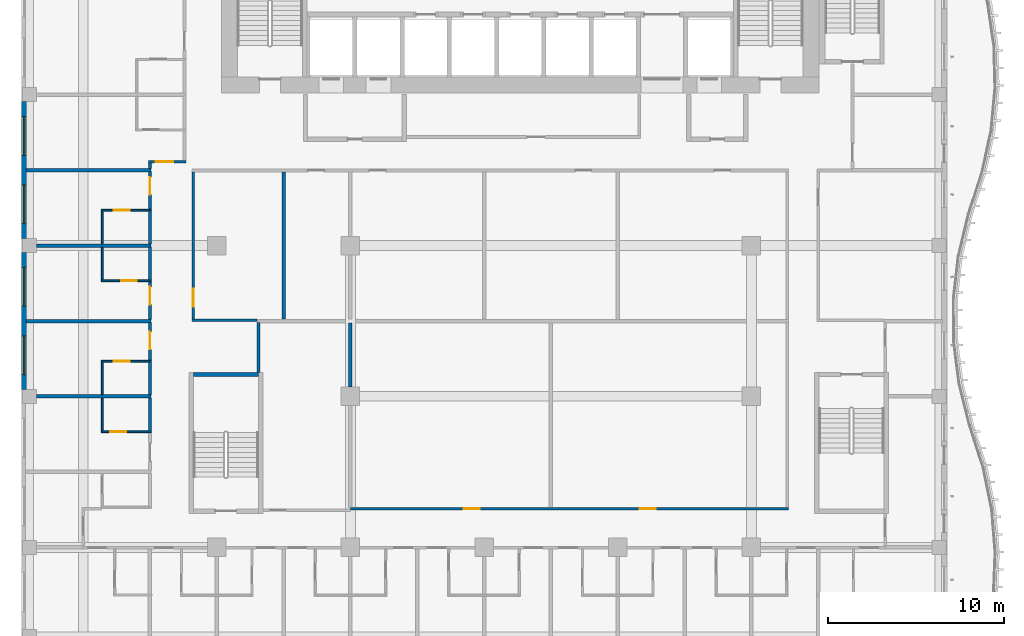
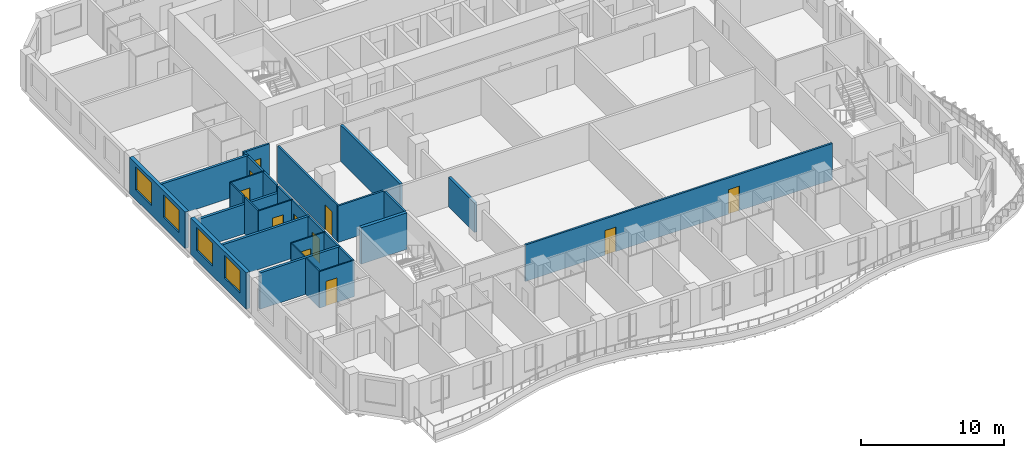
# One storey, part 4 of 22: 30 walls, 11 doors, 4 windows, 15 openings.
"""IFC4 building model written with IfcOpenShell, lengths in metres."""

from ifc_helpers import new_model, si_unit, direction, frame, frame_2d, origin, place, context, subcontext, project, spatial, rectangle, extrude, source, transform, mapped, material, layer, layer_set, type_object, element, fill, save


model = new_model("IFC4")

# Units and contexts
model_context = context("Model", 3, precision=1e-05, world=origin(), true_north=direction((0.0, 1.0)))
body_context = subcontext(model_context, "Body", "Model", "MODEL_VIEW")
ifc_project = project(units=[si_unit("LENGTHUNIT", "METRE"), si_unit("AREAUNIT", "SQUARE_METRE"), si_unit("VOLUMEUNIT", "CUBIC_METRE"), si_unit("PLANEANGLEUNIT", "RADIAN"), si_unit("MASSUNIT", "GRAM", prefix="KILO")], contexts=[model_context])

# Site, building, storey
site_placement = place(None, origin())
site = spatial("IfcSite", under=ifc_project, at=site_placement, CompositionType="ELEMENT")
building_placement = place(site_placement, origin())
building = spatial("IfcBuilding", under=site, at=building_placement, Name="Kilnfold Tower and Market Hall", CompositionType="ELEMENT")
storey_placement = place(building_placement, frame((0.0, 0.0, 171.89990234375)))
storey = spatial("IfcBuildingStorey", under=building, at=storey_placement, Name="L40", CompositionType="ELEMENT", Elevation=171.89990234375)

# Wall
ifc_material_1 = material(Name="Gypsum board on steel studs", Category="steel")
ifc_layer_1 = layer(ifc_material_1, 0.14990234375)
ifc_layer_set_1 = layer_set([ifc_layer_1], Name="Gypsum board on steel studs")
wall_type_1 = type_object("IfcWallType", Name="WALL CORRIDOR 150", PredefinedType="PARTITIONING", material=ifc_layer_set_1)
wall_1_placement = place(storey_placement, frame((-19.958984375, -11.0849609375, 0.0), z_axis=(0.0, 0.0, 1.0), x_axis=(0.0, 1.0, 0.0)))
element("IfcWall", 1, at=wall_1_placement, inside=storey, type_object=wall_type_1, Name="Partition LY26.11", PredefinedType="PARTITIONING", context=body_context, shape_type="SweptSolid", body=[
    extrude(rectangle(XDim=1.869873046875, YDim=0.14990234375, at=frame_2d((0.93505859375, 0.0))), origin(), (0.0, 0.0, 1.0), 3.1201171875),
])

# Wall, opening, door
wall_2_placement = place(storey_placement, frame((-19.958984375, -7.0849609375, 0.0), z_axis=(0.0, 0.0, 1.0), x_axis=(0.0, 1.0, 0.0)))
wall_2 = element("IfcWall", 2, at=wall_2_placement, inside=storey, type_object=wall_type_1, Name="Partition LY26.12", PredefinedType="PARTITIONING", context=body_context, shape_type="SweptSolid", body=[
    extrude(rectangle(XDim=2.15185546875, YDim=0.14990234375, at=frame_2d((1.075927734375, 0.0))), origin(), (0.0, 0.0, 1.0), 3.1201171875),
])
opening_1_placement = place(wall_2_placement, frame((0.6298828125, 0.0, 0.0)))
opening_1 = element("IfcOpeningElement", 3, at=opening_1_placement, cuts=wall_2, Name="Opening D1", PredefinedType="OPENING", context=body_context, shape_type="SweptSolid", body=[
    extrude(rectangle(XDim=1.0, YDim=2.10009765625, at=frame_2d((0.5, 1.050048828125))), frame((0.0, 0.0849609375, 0.0), z_axis=(0.0, -1.0, 0.0), x_axis=(1.0, 0.0, 0.0)), (0.0, 0.0, 1.0), 0.169921875),
])
ifc_material_2 = material(Name="Timber veneer door leaf in steel frame", Category="steel")
door_type_1 = type_object("IfcDoorType", Name="DOOR ENTRY 1000 X2100", OperationType="NOTDEFINED", PredefinedType="DOOR", material=ifc_material_2)
door_1_placement = place(opening_1_placement, origin())
door_1 = element("IfcDoor", 4, at=door_1_placement, inside=storey, type_object=door_type_1, Name="Door D1", OperationType="SINGLE_SWING_RIGHT", OverallHeight=2.10009765625, OverallWidth=1.0, PredefinedType="DOOR", context=body_context, shape_type="SweptSolid", body=[
    extrude(rectangle(XDim=1.0, YDim=2.10009765625, at=frame_2d((0.5, 1.050048828125))), frame((0.0, 0.02490234375, 0.0), z_axis=(0.0, -1.0, 0.0), x_axis=(1.0, 0.0, 0.0)), (0.0, 0.0, 1.0), 0.050048828125),
])
fill(opening_1, door_1)

# Wall
wall_3_placement = place(storey_placement, frame((-19.958984375, -9.034912109375, 0.0), z_axis=(0.0, 0.0, 1.0), x_axis=(0.0, 1.0, 0.0)))
element("IfcWall", 5, at=wall_3_placement, inside=storey, type_object=wall_type_1, Name="Partition LY26.13", PredefinedType="PARTITIONING", context=body_context, shape_type="SweptSolid", body=[
    extrude(rectangle(XDim=1.869873046875, YDim=0.14990234375, at=frame_2d((0.93505859375, 0.0))), origin(), (0.0, 0.0, 1.0), 3.1201171875),
])

# Wall, opening, door
wall_4_placement = place(storey_placement, frame((-19.958984375, -4.7529296875, 0.0), z_axis=(0.0, 0.0, 1.0), x_axis=(0.0, 1.0, 0.0)))
wall_4 = element("IfcWall", 6, at=wall_4_placement, inside=storey, type_object=wall_type_1, Name="Partition LY26.14", PredefinedType="PARTITIONING", context=body_context, shape_type="SweptSolid", body=[
    extrude(rectangle(XDim=2.15087890625, YDim=0.14990234375, at=frame_2d((1.075439453125, 0.0))), origin(), (0.0, 0.0, 1.0), 3.1201171875),
])
opening_2_placement = place(wall_4_placement, frame((0.843994140625, 0.0, 0.0)))
opening_2 = element("IfcOpeningElement", 7, at=opening_2_placement, cuts=wall_4, Name="Opening D1", PredefinedType="OPENING", context=body_context, shape_type="SweptSolid", body=[
    extrude(rectangle(XDim=1.0, YDim=2.10009765625, at=frame_2d((0.5, 1.050048828125))), frame((0.0, 0.0849609375, 0.0), z_axis=(0.0, -1.0, 0.0), x_axis=(1.0, 0.0, 0.0)), (0.0, 0.0, 1.0), 0.169921875),
])
door_2_placement = place(opening_2_placement, origin())
door_2 = element("IfcDoor", 8, at=door_2_placement, inside=storey, type_object=door_type_1, Name="Door D1", OperationType="SINGLE_SWING_RIGHT", OverallHeight=2.10009765625, OverallWidth=1.0, PredefinedType="DOOR", context=body_context, shape_type="SweptSolid", body=[
    extrude(rectangle(XDim=1.0, YDim=2.10009765625, at=frame_2d((0.5, 1.050048828125))), frame((0.0, 0.02490234375, 0.0), z_axis=(0.0, -1.0, 0.0), x_axis=(1.0, 0.0, 0.0)), (0.0, 0.0, 1.0), 0.050048828125),
])
fill(opening_2, door_2)

# Wall
wall_5_placement = place(storey_placement, frame((-19.958984375, -2.52197265625, 0.0), z_axis=(0.0, 0.0, 1.0), x_axis=(0.0, 1.0, 0.0)))
element("IfcWall", 9, at=wall_5_placement, inside=storey, type_object=wall_type_1, Name="Partition LY26.15", PredefinedType="PARTITIONING", context=body_context, shape_type="SweptSolid", body=[
    extrude(rectangle(XDim=1.869873046875, YDim=0.14990234375, at=frame_2d((0.93505859375, 0.0))), origin(), (0.0, 0.0, 1.0), 3.1201171875),
])

# Wall, opening, door
wall_6_placement = place(storey_placement, frame((-19.958984375, 1.47802734375, 0.0), z_axis=(0.0, 0.0, 1.0), x_axis=(0.0, 1.0, 0.0)))
wall_6 = element("IfcWall", 10, at=wall_6_placement, inside=storey, type_object=wall_type_1, Name="Partition LY26.16", PredefinedType="PARTITIONING", context=body_context, shape_type="SweptSolid", body=[
    extrude(rectangle(XDim=2.15087890625, YDim=0.14990234375, at=frame_2d((1.075439453125, 0.0))), origin(), (0.0, 0.0, 1.0), 3.1201171875),
])
opening_3_placement = place(wall_6_placement, frame((0.843994140625, 0.0, 0.0)))
opening_3 = element("IfcOpeningElement", 11, at=opening_3_placement, cuts=wall_6, Name="Opening D1", PredefinedType="OPENING", context=body_context, shape_type="SweptSolid", body=[
    extrude(rectangle(XDim=1.0, YDim=2.10009765625, at=frame_2d((0.5, 1.050048828125))), frame((0.0, 0.0849609375, 0.0), z_axis=(0.0, -1.0, 0.0), x_axis=(1.0, 0.0, 0.0)), (0.0, 0.0, 1.0), 0.169921875),
])
door_3_placement = place(opening_3_placement, origin())
door_3 = element("IfcDoor", 12, at=door_3_placement, inside=storey, type_object=door_type_1, Name="Door D1", OperationType="SINGLE_SWING_RIGHT", OverallHeight=2.10009765625, OverallWidth=1.0, PredefinedType="DOOR", context=body_context, shape_type="SweptSolid", body=[
    extrude(rectangle(XDim=1.0, YDim=2.10009765625, at=frame_2d((0.5, 1.050048828125))), frame((0.0, 0.02490234375, 0.0), z_axis=(0.0, -1.0, 0.0), x_axis=(1.0, 0.0, 0.0)), (0.0, 0.0, 1.0), 0.050048828125),
])
fill(opening_3, door_3)

# Walls
wall_7_placement = place(storey_placement, frame((-19.958984375, -0.471923828125, 0.0), z_axis=(0.0, 0.0, 1.0), x_axis=(0.0, 1.0, 0.0)))
element("IfcWall", 13, at=wall_7_placement, inside=storey, type_object=wall_type_1, Name="Partition LY26.17", PredefinedType="PARTITIONING", context=body_context, shape_type="SweptSolid", body=[
    extrude(rectangle(XDim=1.869873046875, YDim=0.14990234375, at=frame_2d((0.93505859375, 0.0))), origin(), (0.0, 0.0, 1.0), 3.1201171875),
])
wall_8_placement = place(storey_placement, frame((-19.958984375, 3.80908203125, 0.0), z_axis=(0.0, 0.0, 1.0), x_axis=(0.0, 1.0, 0.0)))
element("IfcWall", 14, at=wall_8_placement, inside=storey, type_object=wall_type_1, Name="Partition LY26.18", PredefinedType="PARTITIONING", context=body_context, shape_type="SweptSolid", body=[
    extrude(rectangle(XDim=0.31591796875, YDim=0.14990234375, at=frame_2d((0.157958984375, 0.0))), origin(), (0.0, 0.0, 1.0), 3.1201171875),
])

# Wall, opening, door
wall_9_placement = place(storey_placement, frame((-17.925048828125, 4.199951171875, 0.0), z_axis=(0.0, 0.0, 1.0), x_axis=(-1.0, 0.0, 0.0)))
wall_9 = element("IfcWall", 15, at=wall_9_placement, inside=storey, type_object=wall_type_1, Name="Partition LY26.19", PredefinedType="PARTITIONING", context=body_context, shape_type="SweptSolid", body=[
    extrude(rectangle(XDim=2.10888671875, YDim=0.14990234375, at=frame_2d((1.054443359375, 0.0))), origin(), (0.0, 0.0, 1.0), 3.1201171875),
])
opening_4_placement = place(wall_9_placement, frame((0.7060546875, 0.0, 0.0)))
opening_4 = element("IfcOpeningElement", 16, at=opening_4_placement, cuts=wall_9, Name="Opening D1", PredefinedType="OPENING", context=body_context, shape_type="SweptSolid", body=[
    extrude(rectangle(XDim=1.0, YDim=2.10009765625, at=frame_2d((0.5, 1.050048828125))), frame((0.0, 0.0849609375, 0.0), z_axis=(0.0, -1.0, 0.0), x_axis=(1.0, 0.0, 0.0)), (0.0, 0.0, 1.0), 0.169921875),
])
door_4_placement = place(opening_4_placement, origin())
door_4 = element("IfcDoor", 17, at=door_4_placement, inside=storey, type_object=door_type_1, Name="Door D1", OperationType="SINGLE_SWING_RIGHT", OverallHeight=2.10009765625, OverallWidth=1.0, PredefinedType="DOOR", context=body_context, shape_type="SweptSolid", body=[
    extrude(rectangle(XDim=1.0, YDim=2.10009765625, at=frame_2d((0.5, 1.050048828125))), frame((0.0, 0.02490234375, 0.0), z_axis=(0.0, -1.0, 0.0), x_axis=(1.0, 0.0, 0.0)), (0.0, 0.0, 1.0), 0.050048828125),
])
fill(opening_4, door_4)

wall_10_placement = place(storey_placement, frame((-17.5, -4.72509765625, 0.0), z_axis=(0.0, 0.0, 1.0), x_axis=(0.0, 1.0, 0.0)))
wall_10 = element("IfcWall", 18, at=wall_10_placement, inside=storey, type_object=wall_type_1, Name="Partition LY26.43", PredefinedType="PARTITIONING", context=body_context, shape_type="SweptSolid", body=[
    extrude(rectangle(XDim=8.35009765625, YDim=0.14990234375, at=frame_2d((4.175048828125, 0.0))), origin(), (0.0, 0.0, 1.0), 3.1201171875),
])
opening_5_placement = place(wall_10_placement, frame((0.7041015625, 0.0, 0.0)))
opening_5 = element("IfcOpeningElement", 19, at=opening_5_placement, cuts=wall_10, Name="Opening D4", PredefinedType="OPENING", context=body_context, shape_type="SweptSolid", body=[
    extrude(rectangle(XDim=1.0, YDim=2.10009765625, at=frame_2d((0.5, 1.050048828125))), frame((0.0, 0.0849609375, 0.0), z_axis=(0.0, -1.0, 0.0), x_axis=(1.0, 0.0, 0.0)), (0.0, 0.0, 1.0), 0.169921875),
])
ifc_material_3 = material(Name="Timber veneer door leaf in steel frame", Category="steel")
door_type_2 = type_object("IfcDoorType", Name="DOOR SERVICE 1000 X2100", OperationType="NOTDEFINED", PredefinedType="DOOR", material=ifc_material_3)
door_5_placement = place(opening_5_placement, origin())
door_5 = element("IfcDoor", 20, at=door_5_placement, inside=storey, type_object=door_type_2, Name="Door D4", OperationType="SINGLE_SWING_RIGHT", OverallHeight=2.10009765625, OverallWidth=1.0, PredefinedType="DOOR", context=body_context, shape_type="SweptSolid", body=[
    extrude(rectangle(XDim=1.0, YDim=2.10009765625, at=frame_2d((0.5, 1.050048828125))), frame((0.0, 0.02490234375, 0.0), z_axis=(0.0, -1.0, 0.0), x_axis=(1.0, 0.0, 0.0)), (0.0, 0.0, 1.0), 0.050048828125),
])
fill(opening_5, door_5)

# Walls
wall_11_placement = place(storey_placement, frame((-17.574951171875, -4.800048828125, 0.0), z_axis=(0.0, 0.0, 1.0), x_axis=(1.0, 0.0, 0.0)))
element("IfcWall", 21, at=wall_11_placement, inside=storey, type_object=wall_type_1, Name="Partition LY26.44", PredefinedType="PARTITIONING", context=body_context, shape_type="SweptSolid", body=[
    extrude(rectangle(XDim=3.701904296875, YDim=0.14990234375, at=frame_2d((1.85107421875, 0.0))), origin(), (0.0, 0.0, 1.0), 3.1201171875),
])
wall_12_placement = place(storey_placement, frame((-13.800048828125, -7.75, 0.0), z_axis=(0.0, 0.0, 1.0), x_axis=(0.0, 1.0, 0.0)))
element("IfcWall", 22, at=wall_12_placement, inside=storey, type_object=wall_type_1, Name="Partition LY26.46", PredefinedType="PARTITIONING", context=body_context, shape_type="SweptSolid", body=[
    extrude(rectangle(XDim=2.81689453125, YDim=0.14990234375, at=frame_2d((1.408447265625, 0.0))), origin(), (0.0, 0.0, 1.0), 3.1201171875),
])

# Wall, openings, doors
wall_13_placement = place(storey_placement, frame((-8.593017578125, -15.5, 0.0), z_axis=(0.0, 0.0, 1.0), x_axis=(1.0, 0.0, 0.0)))
wall_13 = element("IfcWall", 23, at=wall_13_placement, inside=storey, type_object=wall_type_1, Name="Partition LY26.48", PredefinedType="PARTITIONING", context=body_context, shape_type="SweptSolid", body=[
    extrude(rectangle(XDim=24.867919921875, YDim=0.14990234375, at=frame_2d((12.43408203125, 0.0))), origin(), (0.0, 0.0, 1.0), 3.1201171875),
])
opening_6_placement = place(wall_13_placement, frame((6.43994140625, 0.0, 0.0)))
opening_6 = element("IfcOpeningElement", 24, at=opening_6_placement, cuts=wall_13, Name="Opening D2", PredefinedType="OPENING", context=body_context, shape_type="SweptSolid", body=[
    extrude(rectangle(XDim=0.89990234375, YDim=2.10009765625, at=frame_2d((0.449951171875, 1.050048828125))), frame((0.0, 0.0849609375, 0.0), z_axis=(0.0, -1.0, 0.0), x_axis=(1.0, 0.0, 0.0)), (0.0, 0.0, 1.0), 0.169921875),
])
opening_7_placement = place(wall_13_placement, frame((16.429931640625, 0.0, 0.0)))
opening_7 = element("IfcOpeningElement", 25, at=opening_7_placement, cuts=wall_13, Name="Opening D2", PredefinedType="OPENING", context=body_context, shape_type="SweptSolid", body=[
    extrude(rectangle(XDim=0.89990234375, YDim=2.10009765625, at=frame_2d((0.449951171875, 1.050048828125))), frame((0.0, 0.0849609375, 0.0), z_axis=(0.0, -1.0, 0.0), x_axis=(1.0, 0.0, 0.0)), (0.0, 0.0, 1.0), 0.169921875),
])
ifc_material_4 = material(Name="Timber veneer door leaf in steel frame", Category="steel")
door_type_3 = type_object("IfcDoorType", Name="DOOR ROOM 900 X2100", OperationType="NOTDEFINED", PredefinedType="DOOR", material=ifc_material_4)
door_6_placement = place(opening_6_placement, origin())
door_6 = element("IfcDoor", 26, at=door_6_placement, inside=storey, type_object=door_type_3, Name="Door D2", OperationType="SINGLE_SWING_RIGHT", OverallHeight=2.10009765625, OverallWidth=0.89990234375, PredefinedType="DOOR", context=body_context, shape_type="SweptSolid", body=[
    extrude(rectangle(XDim=0.89990234375, YDim=2.10009765625, at=frame_2d((0.449951171875, 1.050048828125))), frame((0.0, 0.02490234375, 0.0), z_axis=(0.0, -1.0, 0.0), x_axis=(1.0, 0.0, 0.0)), (0.0, 0.0, 1.0), 0.050048828125),
])
fill(opening_6, door_6)
door_7_placement = place(opening_7_placement, origin())
door_7 = element("IfcDoor", 27, at=door_7_placement, inside=storey, type_object=door_type_3, Name="Door D2", OperationType="SINGLE_SWING_RIGHT", OverallHeight=2.10009765625, OverallWidth=0.89990234375, PredefinedType="DOOR", context=body_context, shape_type="SweptSolid", body=[
    extrude(rectangle(XDim=0.89990234375, YDim=2.10009765625, at=frame_2d((0.449951171875, 1.050048828125))), frame((0.0, 0.02490234375, 0.0), z_axis=(0.0, -1.0, 0.0), x_axis=(1.0, 0.0, 0.0)), (0.0, 0.0, 1.0), 0.050048828125),
])
fill(opening_7, door_7)

# Wall, opening, door
ifc_material_5 = material(Name="Gypsum board on steel studs", Category="steel")
ifc_layer_2 = layer(ifc_material_5, 0.10009765625)
ifc_layer_set_2 = layer_set([ifc_layer_2], Name="Gypsum board on steel studs")
wall_type_2 = type_object("IfcWallType", Name="WALL PARTITION 100", PredefinedType="PARTITIONING", material=ifc_layer_set_2)
wall_14_placement = place(storey_placement, frame((-19.885986328125, -11.125, 0.0), z_axis=(0.0, 0.0, 1.0), x_axis=(-1.0, 0.0, 0.0)))
wall_14 = element("IfcWall", 28, at=wall_14_placement, inside=storey, type_object=wall_type_2, Name="Partition LY26.92", PredefinedType="PARTITIONING", context=body_context, shape_type="SweptSolid", body=[
    extrude(rectangle(XDim=2.824951171875, YDim=0.10009765625, at=frame_2d((1.41259765625, 0.0))), origin(), (0.0, 0.0, 1.0), 3.1201171875),
])
opening_8_placement = place(wall_14_placement, frame((1.419921875, 0.0, 0.0)))
opening_8 = element("IfcOpeningElement", 29, at=opening_8_placement, cuts=wall_14, Name="Opening D3", PredefinedType="OPENING", context=body_context, shape_type="SweptSolid", body=[
    extrude(rectangle(XDim=0.89990234375, YDim=2.10009765625, at=frame_2d((0.449951171875, 1.050048828125))), frame((0.0, 0.06005859375, 0.0), z_axis=(0.0, -1.0, 0.0), x_axis=(1.0, 0.0, 0.0)), (0.0, 0.0, 1.0), 0.1201171875),
])
ifc_material_6 = material(Name="Timber veneer door leaf in steel frame", Category="steel")
door_type_4 = type_object("IfcDoorType", Name="DOOR WC 900 X2100", OperationType="NOTDEFINED", PredefinedType="DOOR", material=ifc_material_6)
door_8_placement = place(opening_8_placement, origin())
door_8 = element("IfcDoor", 30, at=door_8_placement, inside=storey, type_object=door_type_4, Name="Door D3", OperationType="SINGLE_SWING_LEFT", OverallHeight=2.10009765625, OverallWidth=0.89990234375, PredefinedType="DOOR", context=body_context, shape_type="SweptSolid", body=[
    extrude(rectangle(XDim=0.89990234375, YDim=2.10009765625, at=frame_2d((0.449951171875, 1.050048828125))), frame((0.0, 0.02490234375, 0.0), z_axis=(0.0, -1.0, 0.0), x_axis=(1.0, 0.0, 0.0)), (0.0, 0.0, 1.0), 0.050048828125),
])
fill(opening_8, door_8)

# Wall
wall_15_placement = place(storey_placement, frame((-22.660888671875, -11.074951171875, 0.0), z_axis=(0.0, 0.0, 1.0), x_axis=(0.0, 1.0, 0.0)))
element("IfcWall", 31, at=wall_15_placement, inside=storey, type_object=wall_type_2, Name="Partition LY26.93", PredefinedType="PARTITIONING", context=body_context, shape_type="SweptSolid", body=[
    extrude(rectangle(XDim=1.849853515625, YDim=0.10009765625, at=frame_2d((0.9248046875, 0.0))), origin(), (0.0, 0.0, 1.0), 3.1201171875),
])

# Wall, opening, door
wall_16_placement = place(storey_placement, frame((-22.7109375, -7.125, 0.0), z_axis=(0.0, 0.0, 1.0), x_axis=(1.0, 0.0, 0.0)))
wall_16 = element("IfcWall", 32, at=wall_16_placement, inside=storey, type_object=wall_type_2, Name="Partition LY26.95", PredefinedType="PARTITIONING", context=body_context, shape_type="SweptSolid", body=[
    extrude(rectangle(XDim=2.824951171875, YDim=0.10009765625, at=frame_2d((1.41259765625, 0.0))), origin(), (0.0, 0.0, 1.0), 3.1201171875),
])
opening_9_placement = place(wall_16_placement, frame((0.7080078125, 0.0, 0.0)))
opening_9 = element("IfcOpeningElement", 33, at=opening_9_placement, cuts=wall_16, Name="Opening D3", PredefinedType="OPENING", context=body_context, shape_type="SweptSolid", body=[
    extrude(rectangle(XDim=0.89990234375, YDim=2.10009765625, at=frame_2d((0.449951171875, 1.050048828125))), frame((0.0, 0.06005859375, 0.0), z_axis=(0.0, -1.0, 0.0), x_axis=(1.0, 0.0, 0.0)), (0.0, 0.0, 1.0), 0.1201171875),
])
door_9_placement = place(opening_9_placement, origin())
door_9 = element("IfcDoor", 34, at=door_9_placement, inside=storey, type_object=door_type_4, Name="Door D3", OperationType="SINGLE_SWING_RIGHT", OverallHeight=2.10009765625, OverallWidth=0.89990234375, PredefinedType="DOOR", context=body_context, shape_type="SweptSolid", body=[
    extrude(rectangle(XDim=0.89990234375, YDim=2.10009765625, at=frame_2d((0.449951171875, 1.050048828125))), frame((0.0, 0.02490234375, 0.0), z_axis=(0.0, -1.0, 0.0), x_axis=(1.0, 0.0, 0.0)), (0.0, 0.0, 1.0), 0.050048828125),
])
fill(opening_9, door_9)

# Wall
wall_17_placement = place(storey_placement, frame((-22.660888671875, -9.02490234375, 0.0), z_axis=(0.0, 0.0, 1.0), x_axis=(0.0, 1.0, 0.0)))
element("IfcWall", 35, at=wall_17_placement, inside=storey, type_object=wall_type_2, Name="Partition LY26.96", PredefinedType="PARTITIONING", context=body_context, shape_type="SweptSolid", body=[
    extrude(rectangle(XDim=1.849853515625, YDim=0.10009765625, at=frame_2d((0.9248046875, 0.0))), origin(), (0.0, 0.0, 1.0), 3.1201171875),
])

# Wall, opening, door
wall_18_placement = place(storey_placement, frame((-19.885986328125, -2.56201171875, 0.0), z_axis=(0.0, 0.0, 1.0), x_axis=(-1.0, 0.0, 0.0)))
wall_18 = element("IfcWall", 36, at=wall_18_placement, inside=storey, type_object=wall_type_2, Name="Partition LY26.98", PredefinedType="PARTITIONING", context=body_context, shape_type="SweptSolid", body=[
    extrude(rectangle(XDim=2.824951171875, YDim=0.10009765625, at=frame_2d((1.41259765625, 0.0))), origin(), (0.0, 0.0, 1.0), 3.1201171875),
])
opening_10_placement = place(wall_18_placement, frame((0.81005859375, 0.0, 0.0)))
opening_10 = element("IfcOpeningElement", 37, at=opening_10_placement, cuts=wall_18, Name="Opening D3", PredefinedType="OPENING", context=body_context, shape_type="SweptSolid", body=[
    extrude(rectangle(XDim=0.89990234375, YDim=2.10009765625, at=frame_2d((0.449951171875, 1.050048828125))), frame((0.0, 0.06005859375, 0.0), z_axis=(0.0, -1.0, 0.0), x_axis=(1.0, 0.0, 0.0)), (0.0, 0.0, 1.0), 0.1201171875),
])
door_10_placement = place(opening_10_placement, origin())
door_10 = element("IfcDoor", 38, at=door_10_placement, inside=storey, type_object=door_type_4, Name="Door D3", OperationType="SINGLE_SWING_LEFT", OverallHeight=2.10009765625, OverallWidth=0.89990234375, PredefinedType="DOOR", context=body_context, shape_type="SweptSolid", body=[
    extrude(rectangle(XDim=0.89990234375, YDim=2.10009765625, at=frame_2d((0.449951171875, 1.050048828125))), frame((0.0, 0.02490234375, 0.0), z_axis=(0.0, -1.0, 0.0), x_axis=(1.0, 0.0, 0.0)), (0.0, 0.0, 1.0), 0.050048828125),
])
fill(opening_10, door_10)

# Wall
wall_19_placement = place(storey_placement, frame((-22.660888671875, -2.511962890625, 0.0), z_axis=(0.0, 0.0, 1.0), x_axis=(0.0, 1.0, 0.0)))
element("IfcWall", 39, at=wall_19_placement, inside=storey, type_object=wall_type_2, Name="Partition LY26.99", PredefinedType="PARTITIONING", context=body_context, shape_type="SweptSolid", body=[
    extrude(rectangle(XDim=1.849853515625, YDim=0.10009765625, at=frame_2d((0.9248046875, 0.0))), origin(), (0.0, 0.0, 1.0), 3.1201171875),
])

# Wall, opening, door
wall_20_placement = place(storey_placement, frame((-22.7109375, 1.43798828125, 0.0), z_axis=(0.0, 0.0, 1.0), x_axis=(1.0, 0.0, 0.0)))
wall_20 = element("IfcWall", 40, at=wall_20_placement, inside=storey, type_object=wall_type_2, Name="Partition LY26.101", PredefinedType="PARTITIONING", context=body_context, shape_type="SweptSolid", body=[
    extrude(rectangle(XDim=2.824951171875, YDim=0.10009765625, at=frame_2d((1.41259765625, 0.0))), origin(), (0.0, 0.0, 1.0), 3.1201171875),
])
opening_11_placement = place(wall_20_placement, frame((0.7080078125, 0.0, 0.0)))
opening_11 = element("IfcOpeningElement", 41, at=opening_11_placement, cuts=wall_20, Name="Opening D3", PredefinedType="OPENING", context=body_context, shape_type="SweptSolid", body=[
    extrude(rectangle(XDim=0.89990234375, YDim=2.10009765625, at=frame_2d((0.449951171875, 1.050048828125))), frame((0.0, 0.06005859375, 0.0), z_axis=(0.0, -1.0, 0.0), x_axis=(1.0, 0.0, 0.0)), (0.0, 0.0, 1.0), 0.1201171875),
])
door_11_placement = place(opening_11_placement, origin())
door_11 = element("IfcDoor", 42, at=door_11_placement, inside=storey, type_object=door_type_4, Name="Door D3", OperationType="SINGLE_SWING_RIGHT", OverallHeight=2.10009765625, OverallWidth=0.89990234375, PredefinedType="DOOR", context=body_context, shape_type="SweptSolid", body=[
    extrude(rectangle(XDim=0.89990234375, YDim=2.10009765625, at=frame_2d((0.449951171875, 1.050048828125))), frame((0.0, 0.02490234375, 0.0), z_axis=(0.0, -1.0, 0.0), x_axis=(1.0, 0.0, 0.0)), (0.0, 0.0, 1.0), 0.050048828125),
])
fill(opening_11, door_11)

# Walls
wall_21_placement = place(storey_placement, frame((-22.660888671875, -0.4619140625, 0.0), z_axis=(0.0, 0.0, 1.0), x_axis=(0.0, 1.0, 0.0)))
element("IfcWall", 43, at=wall_21_placement, inside=storey, type_object=wall_type_2, Name="Partition LY26.102", PredefinedType="PARTITIONING", context=body_context, shape_type="SweptSolid", body=[
    extrude(rectangle(XDim=1.849853515625, YDim=0.10009765625, at=frame_2d((0.9248046875, 0.0))), origin(), (0.0, 0.0, 1.0), 3.1201171875),
])
ifc_material_7 = material(Name="Gypsum board on steel studs", Category="steel")
ifc_layer_3 = layer(ifc_material_7, 0.199951171875)
ifc_layer_set_3 = layer_set([ifc_layer_3], Name="Gypsum board on steel studs")
wall_type_3 = type_object("IfcWallType", Name="WALL PARTY 200", PredefinedType="PARTITIONING", material=ifc_layer_set_3)
wall_22_placement = place(storey_placement, frame((-26.39990234375, -9.125, 0.0), z_axis=(0.0, 0.0, 1.0), x_axis=(1.0, 0.0, 0.0)))
element("IfcWall", 44, at=wall_22_placement, inside=storey, type_object=wall_type_3, Name="Partition LY26.94", PredefinedType="PARTITIONING", context=body_context, shape_type="SweptSolid", body=[
    extrude(rectangle(XDim=6.513916015625, YDim=0.199951171875, at=frame_2d((3.2568359375, 0.0))), origin(), (0.0, 0.0, 1.0), 3.1201171875),
])
wall_23_placement = place(storey_placement, frame((-27.0, -4.843017578125, 0.0), z_axis=(0.0, 0.0, 1.0), x_axis=(1.0, 0.0, 0.0)))
element("IfcWall", 45, at=wall_23_placement, inside=storey, type_object=wall_type_3, Name="Partition LY26.97", PredefinedType="PARTITIONING", context=body_context, shape_type="SweptSolid", body=[
    extrude(rectangle(XDim=7.114013671875, YDim=0.199951171875, at=frame_2d((3.55712890625, 0.0))), origin(), (0.0, 0.0, 1.0), 3.1201171875),
])
wall_24_placement = place(storey_placement, frame((-26.39990234375, -0.56201171875, 0.0), z_axis=(0.0, 0.0, 1.0), x_axis=(1.0, 0.0, 0.0)))
element("IfcWall", 46, at=wall_24_placement, inside=storey, type_object=wall_type_3, Name="Partition LY26.100", PredefinedType="PARTITIONING", context=body_context, shape_type="SweptSolid", body=[
    extrude(rectangle(XDim=6.513916015625, YDim=0.199951171875, at=frame_2d((3.2568359375, 0.0))), origin(), (0.0, 0.0, 1.0), 2.52001953125),
])
wall_25_placement = place(storey_placement, frame((-27.0, 3.718994140625, 0.0), z_axis=(0.0, 0.0, 1.0), x_axis=(1.0, 0.0, 0.0)))
element("IfcWall", 47, at=wall_25_placement, inside=storey, type_object=wall_type_3, Name="Partition LY26.103", PredefinedType="PARTITIONING", context=body_context, shape_type="SweptSolid", body=[
    extrude(rectangle(XDim=7.114013671875, YDim=0.199951171875, at=frame_2d((3.55712890625, 0.0))), origin(), (0.0, 0.0, 1.0), 3.1201171875),
])
wall_26_placement = place(storey_placement, frame((-12.375, -4.742919921875, 0.0), z_axis=(0.0, 0.0, 1.0), x_axis=(0.0, 1.0, 0.0)))
element("IfcWall", 48, at=wall_26_placement, inside=storey, type_object=wall_type_3, Name="Partition LY26.134", PredefinedType="PARTITIONING", context=body_context, shape_type="SweptSolid", body=[
    extrude(rectangle(XDim=8.365966796875, YDim=0.199951171875, at=frame_2d((4.18310546875, 0.0))), origin(), (0.0, 0.0, 1.0), 3.1201171875),
])
wall_27_placement = place(storey_placement, frame((-8.5830078125, -8.60009765625, 0.0), z_axis=(0.0, 0.0, 1.0), x_axis=(0.0, 1.0, 0.0)))
element("IfcWall", 49, at=wall_27_placement, inside=storey, type_object=wall_type_3, Name="Partition LY26.140", PredefinedType="PARTITIONING", context=body_context, shape_type="SweptSolid", body=[
    extrude(rectangle(XDim=3.656982421875, YDim=0.199951171875, at=frame_2d((1.82861328125, 0.0))), origin(), (0.0, 0.0, 1.0), 2.52001953125),
])
ifc_material_8 = material(Name="Concrete C70", Category="concrete")
ifc_layer_4 = layer(ifc_material_8, 0.25)
ifc_layer_set_4 = layer_set([ifc_layer_4], Name="Concrete C70")
wall_type_4 = type_object("IfcWallType", Name="CORE WALL 250 C70", PredefinedType="SHEAR", material=ifc_layer_set_4)
shared_shape_1 = source(origin(), body_context, "Body", "SweptSolid", [
    extrude(rectangle(XDim=3.699951171875, YDim=0.25, at=frame_2d((1.85009765625, 0.0))), origin(), (0.0, 0.0, 1.0), 3.1201171875),
])
wall_28_placement = place(storey_placement, frame((-17.5, -7.875, 0.0), z_axis=(0.0, 0.0, 1.0), x_axis=(1.0, 0.0, 0.0)))
element("IfcWall", 50, at=wall_28_placement, inside=storey, type_object=wall_type_4, Name="Stair enclosure ST3", PredefinedType="SHEAR", context=body_context, shape_type="MappedRepresentation", body=[
    mapped(shared_shape_1, transform((0.0, 0.0, 0.0))),
])

# Wall, openings, windows
ifc_material_9 = material(Name="Precast concrete C50/60", Category="concrete")
ifc_layer_5 = layer(ifc_material_9, 0.300048828125)
ifc_layer_set_5 = layer_set([ifc_layer_5], Name="Precast concrete C50/60")
wall_type_5 = type_object("IfcWallType", Name="PRECAST WALL 300", PredefinedType="SOLIDWALL", material=ifc_layer_set_5)
shared_shape_2 = source(origin(), body_context, "Body", "SweptSolid", [
    extrude(rectangle(XDim=7.7626953125, YDim=0.300048828125, at=frame_2d((3.88134765625, 0.0))), origin(), (0.0, 0.0, 1.0), 3.1201171875),
])
wall_29_placement = place(storey_placement, frame((-27.10009765625, 7.60009765625, 0.0), z_axis=(0.0, 0.0, 1.0), x_axis=(0.0, -1.0, 0.0)))
wall_29 = element("IfcWall", 51, at=wall_29_placement, inside=storey, type_object=wall_type_5, Name="External wall L40 W", PredefinedType="SOLIDWALL", context=body_context, shape_type="MappedRepresentation", body=[
    mapped(shared_shape_2, transform((0.0, 0.0, 0.0))),
])
opening_12_placement = place(wall_29_placement, frame((0.840576171875, 0.0, 0.85009765625)))
opening_12 = element("IfcOpeningElement", 52, at=opening_12_placement, cuts=wall_29, Name="Opening W2", PredefinedType="OPENING", context=body_context, shape_type="SweptSolid", body=[
    extrude(rectangle(XDim=2.199951171875, YDim=1.949951171875, at=frame_2d((1.10009765625, 0.97509765625))), frame((0.0, 0.16015625, 0.0), z_axis=(0.0, -1.0, 0.0), x_axis=(1.0, 0.0, 0.0)), (0.0, 0.0, 1.0), 0.320068359375),
])
opening_13_placement = place(wall_29_placement, frame((4.7216796875, 0.0, 0.85009765625)))
opening_13 = element("IfcOpeningElement", 53, at=opening_13_placement, cuts=wall_29, Name="Opening W2", PredefinedType="OPENING", context=body_context, shape_type="SweptSolid", body=[
    extrude(rectangle(XDim=2.199951171875, YDim=1.949951171875, at=frame_2d((1.10009765625, 0.97509765625))), frame((0.0, 0.16015625, 0.0), z_axis=(0.0, -1.0, 0.0), x_axis=(1.0, 0.0, 0.0)), (0.0, 0.0, 1.0), 0.320068359375),
])
ifc_material_10 = material(Name="Aluminium frame and double glazing", Category="aluminium")
window_type = type_object("IfcWindowType", Name="WINDOW W2 2200X1950", PartitioningType="SINGLE_PANEL", PredefinedType="WINDOW", material=ifc_material_10)
window_1_placement = place(opening_12_placement, origin())
window_1 = element("IfcWindow", 54, at=window_1_placement, inside=storey, type_object=window_type, Name="Window W2 L40 W-1", OverallHeight=1.949951171875, OverallWidth=2.199951171875, PartitioningType="SINGLE_PANEL", PredefinedType="WINDOW", context=body_context, shape_type="SweptSolid", body=[
    extrude(rectangle(XDim=2.199951171875, YDim=1.949951171875, at=frame_2d((1.10009765625, 0.97509765625))), frame((0.0, 0.030029296875, 0.0), z_axis=(0.0, -1.0, 0.0), x_axis=(1.0, 0.0, 0.0)), (0.0, 0.0, 1.0), 0.06005859375),
])
fill(opening_12, window_1)
window_2_placement = place(opening_13_placement, origin())
window_2 = element("IfcWindow", 55, at=window_2_placement, inside=storey, type_object=window_type, Name="Window W2 L40 W-2", OverallHeight=1.949951171875, OverallWidth=2.199951171875, PartitioningType="SINGLE_PANEL", PredefinedType="WINDOW", context=body_context, shape_type="SweptSolid", body=[
    extrude(rectangle(XDim=2.199951171875, YDim=1.949951171875, at=frame_2d((1.10009765625, 0.97509765625))), frame((0.0, 0.030029296875, 0.0), z_axis=(0.0, -1.0, 0.0), x_axis=(1.0, 0.0, 0.0)), (0.0, 0.0, 1.0), 0.06005859375),
])
fill(opening_13, window_2)

wall_30_placement = place(storey_placement, frame((-27.10009765625, -0.96240234375, 0.0), z_axis=(0.0, 0.0, 1.0), x_axis=(0.0, -1.0, 0.0)))
wall_30 = element("IfcWall", 56, at=wall_30_placement, inside=storey, type_object=wall_type_5, Name="External wall L40 W", PredefinedType="SOLIDWALL", context=body_context, shape_type="MappedRepresentation", body=[
    mapped(shared_shape_2, transform((0.0, 0.0, 0.0))),
])
opening_14_placement = place(wall_30_placement, frame((0.8408203125, 0.0, 0.85009765625)))
opening_14 = element("IfcOpeningElement", 57, at=opening_14_placement, cuts=wall_30, Name="Opening W2", PredefinedType="OPENING", context=body_context, shape_type="SweptSolid", body=[
    extrude(rectangle(XDim=2.199951171875, YDim=1.949951171875, at=frame_2d((1.10009765625, 0.97509765625))), frame((0.0, 0.16015625, 0.0), z_axis=(0.0, -1.0, 0.0), x_axis=(1.0, 0.0, 0.0)), (0.0, 0.0, 1.0), 0.320068359375),
])
opening_15_placement = place(wall_30_placement, frame((4.721923828125, 0.0, 0.85009765625)))
opening_15 = element("IfcOpeningElement", 58, at=opening_15_placement, cuts=wall_30, Name="Opening W2", PredefinedType="OPENING", context=body_context, shape_type="SweptSolid", body=[
    extrude(rectangle(XDim=2.199951171875, YDim=1.949951171875, at=frame_2d((1.10009765625, 0.97509765625))), frame((0.0, 0.16015625, 0.0), z_axis=(0.0, -1.0, 0.0), x_axis=(1.0, 0.0, 0.0)), (0.0, 0.0, 1.0), 0.320068359375),
])
window_3_placement = place(opening_14_placement, origin())
window_3 = element("IfcWindow", 59, at=window_3_placement, inside=storey, type_object=window_type, Name="Window W2 L40 W-1", OverallHeight=1.949951171875, OverallWidth=2.199951171875, PartitioningType="SINGLE_PANEL", PredefinedType="WINDOW", context=body_context, shape_type="SweptSolid", body=[
    extrude(rectangle(XDim=2.199951171875, YDim=1.949951171875, at=frame_2d((1.10009765625, 0.97509765625))), frame((0.0, 0.030029296875, 0.0), z_axis=(0.0, -1.0, 0.0), x_axis=(1.0, 0.0, 0.0)), (0.0, 0.0, 1.0), 0.06005859375),
])
fill(opening_14, window_3)
window_4_placement = place(opening_15_placement, origin())
window_4 = element("IfcWindow", 60, at=window_4_placement, inside=storey, type_object=window_type, Name="Window W2 L40 W-2", OverallHeight=1.949951171875, OverallWidth=2.199951171875, PartitioningType="SINGLE_PANEL", PredefinedType="WINDOW", context=body_context, shape_type="SweptSolid", body=[
    extrude(rectangle(XDim=2.199951171875, YDim=1.949951171875, at=frame_2d((1.10009765625, 0.97509765625))), frame((0.0, 0.030029296875, 0.0), z_axis=(0.0, -1.0, 0.0), x_axis=(1.0, 0.0, 0.0)), (0.0, 0.0, 1.0), 0.06005859375),
])
fill(opening_15, window_4)

save(model, "model.ifc")
